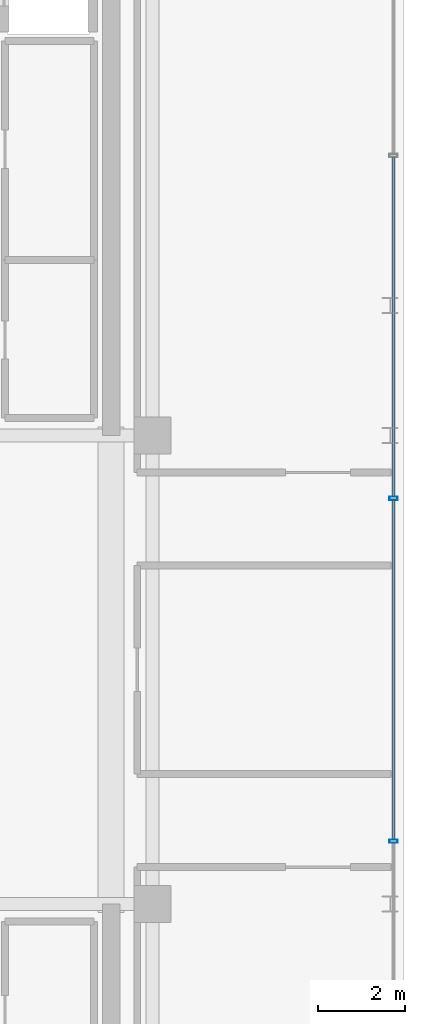
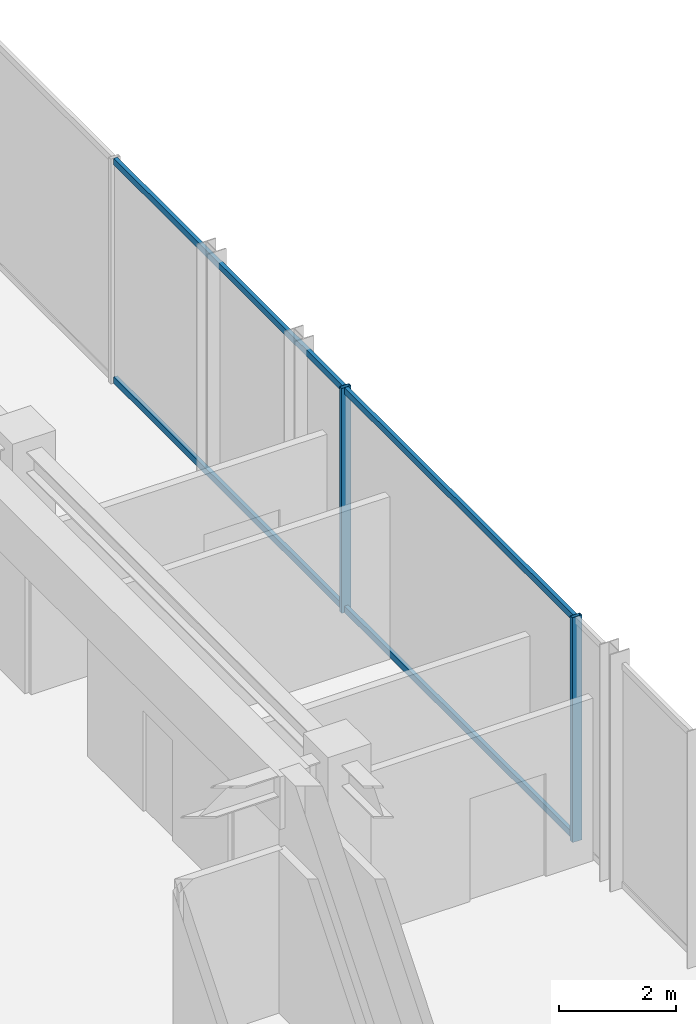
# One storey, part 15 of 28: 6 members, 1 element without a shape of its own.
"""IFC4 building model written with IfcOpenShell, lengths in metres."""

from ifc_helpers import new_model, si_unit, direction, frame, origin, origin_2d, place, context, subcontext, project, spatial, hollow_rectangle, extrude, source, transform, mapped, material, material_profile, profile_set, type_object, element, aggregate, save


model = new_model("IFC4")

# Units and contexts
model_context = context("Model", 3, precision=1e-05, world=origin(), true_north=direction((0.0, 1.0)))
body_context = subcontext(model_context, "Body", "Model", "MODEL_VIEW")
ifc_project = project(units=[si_unit("LENGTHUNIT", "METRE"), si_unit("AREAUNIT", "SQUARE_METRE"), si_unit("VOLUMEUNIT", "CUBIC_METRE"), si_unit("PLANEANGLEUNIT", "RADIAN"), si_unit("MASSUNIT", "GRAM", prefix="KILO")], contexts=[model_context])

# Site, building, storey
site_placement = place(None, origin())
site = spatial("IfcSite", under=ifc_project, at=site_placement, CompositionType="ELEMENT")
building_placement = place(site_placement, origin())
building = spatial("IfcBuilding", under=site, at=building_placement, Name="Nahalor Promenade Grand Hotel", CompositionType="ELEMENT")
storey_placement = place(building_placement, frame((0.0, 0.0, 352.050048828125)))
storey = spatial("IfcBuildingStorey", under=building, at=storey_placement, Name="L90", CompositionType="ELEMENT", Elevation=352.050048828125)

# Curtain wall, members
ifc_material = material(Name="Anodised Bronze Aluminium EN AW-6063 T6", Category="aluminium")
curtain_wall_type = type_object("IfcCurtainWallType", Name="CW6 Crown Botanical Conservatory Curtain Wall", PredefinedType="USERDEFINED", material=ifc_material)
curtain_wall_placement = place(storey_placement, origin())
curtain_wall = element("IfcCurtainWall", 1, at=curtain_wall_placement, inside=storey, type_object=curtain_wall_type, Name="L90 Curtain Wall CW-L90-E-1", ObjectType="UNITISED_CURTAIN_WALL", PredefinedType="USERDEFINED")
ifc_material_profile_1 = material_profile(ifc_material, hollow_rectangle(XDim=0.075, YDim=0.19, WallThickness=0.005, at=origin_2d()), Name="CWM 75x190x5")
ifc_profile_set_1 = profile_set([ifc_material_profile_1], Name="Anodised Bronze Aluminium EN AW-6063 T6")
member_type_1 = type_object("IfcMemberType", Name="CWM6 Conservatory Bronze Mullion 75x190", PredefinedType="MULLION", material=ifc_profile_set_1)
shared_shape_1 = source(origin(), body_context, "Body", "SweptSolid", [
    extrude(hollow_rectangle(XDim=0.075, YDim=0.19, WallThickness=0.005, at=origin_2d()), origin(), (0.0, 0.0, 1.0), 4.699951171875),
])
member_1_placement = place(storey_placement, frame((22.56005859375, -3.951904296875, 0.0), z_axis=(0.0, 0.0, 1.0), x_axis=(0.0, 1.0, 0.0)))
member_1 = element("IfcMember", 2, at=member_1_placement, type_object=member_type_1, Name="CW-L90-E-1 Mullion 2", PredefinedType="MULLION", context=body_context, shape_type="MappedRepresentation", body=[
    mapped(shared_shape_1, transform((0.0, 0.0, 0.0), scale=1.0)),
])
member_2_placement = place(storey_placement, frame((22.56005859375, 3.951904296875, 0.0), z_axis=(0.0, 0.0, 1.0), x_axis=(0.0, 1.0, 0.0)))
member_2 = element("IfcMember", 3, at=member_2_placement, type_object=member_type_1, Name="CW-L90-E-1 Mullion 3", PredefinedType="MULLION", context=body_context, shape_type="MappedRepresentation", body=[
    mapped(shared_shape_1, transform((0.0, 0.0, 0.0), scale=1.0)),
])
ifc_material_profile_2 = material_profile(ifc_material, hollow_rectangle(XDim=0.075, YDim=0.135, WallThickness=0.004, at=origin_2d()), Name="CWT 75x135x4")
ifc_profile_set_2 = profile_set([ifc_material_profile_2], Name="Anodised Bronze Aluminium EN AW-6063 T6")
member_type_2 = type_object("IfcMemberType", Name="CWT6 Conservatory Transom 75x135", PredefinedType="USERDEFINED", material=ifc_profile_set_2)
shared_shape_2 = source(origin(), body_context, "Body", "SweptSolid", [
    extrude(hollow_rectangle(XDim=0.075, YDim=0.135, WallThickness=0.004, at=origin_2d()), origin(), (0.0, 0.0, 1.0), 7.8291015625),
])
member_3_placement = place(storey_placement, frame((22.56005859375, -3.91455078125, 0.0673828125), z_axis=(0.0, 1.0, 0.0), x_axis=(-1.0, 0.0, 0.0)))
member_3 = element("IfcMember", 4, at=member_3_placement, type_object=member_type_2, Name="CW-L90-E-1 Transom 2-0", ObjectType="TRANSOM", PredefinedType="USERDEFINED", context=body_context, shape_type="MappedRepresentation", body=[
    mapped(shared_shape_2, transform((0.0, 0.0, 0.0), scale=1.0)),
])
member_4_placement = place(storey_placement, frame((22.56005859375, -3.91455078125, 4.632568359375), z_axis=(0.0, 1.0, 0.0), x_axis=(-1.0, 0.0, 0.0)))
member_4 = element("IfcMember", 5, at=member_4_placement, type_object=member_type_2, Name="CW-L90-E-1 Transom 2-1", ObjectType="TRANSOM", PredefinedType="USERDEFINED", context=body_context, shape_type="MappedRepresentation", body=[
    mapped(shared_shape_2, transform((0.0, 0.0, 0.0), scale=1.0)),
])
member_5_placement = place(storey_placement, frame((22.56005859375, 3.989501953125, 0.0673828125), z_axis=(0.0, 1.0, 0.0), x_axis=(-1.0, 0.0, 0.0)))
member_5 = element("IfcMember", 6, at=member_5_placement, type_object=member_type_2, Name="CW-L90-E-1 Transom 3-0", ObjectType="TRANSOM", PredefinedType="USERDEFINED", context=body_context, shape_type="MappedRepresentation", body=[
    mapped(shared_shape_2, transform((0.0, 0.0, 0.0), scale=1.0)),
])
member_6_placement = place(storey_placement, frame((22.56005859375, 3.989501953125, 4.632568359375), z_axis=(0.0, 1.0, 0.0), x_axis=(-1.0, 0.0, 0.0)))
member_6 = element("IfcMember", 7, at=member_6_placement, type_object=member_type_2, Name="CW-L90-E-1 Transom 3-1", ObjectType="TRANSOM", PredefinedType="USERDEFINED", context=body_context, shape_type="MappedRepresentation", body=[
    mapped(shared_shape_2, transform((0.0, 0.0, 0.0), scale=1.0)),
])
aggregate(curtain_wall, [member_1, member_2, member_3, member_4, member_5, member_6])

save(model, "model.ifc")
